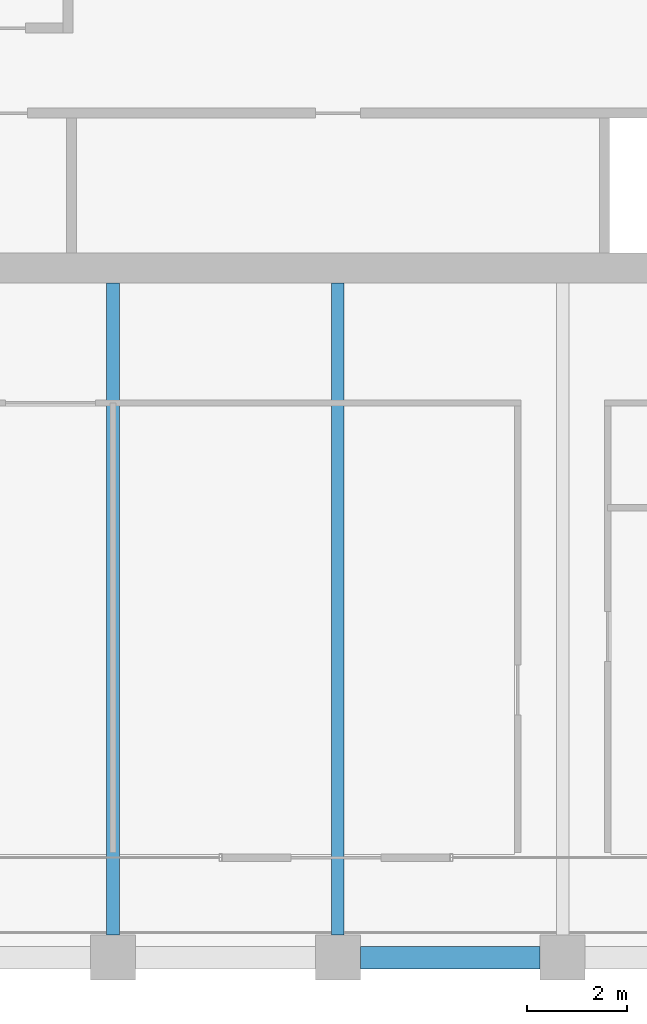
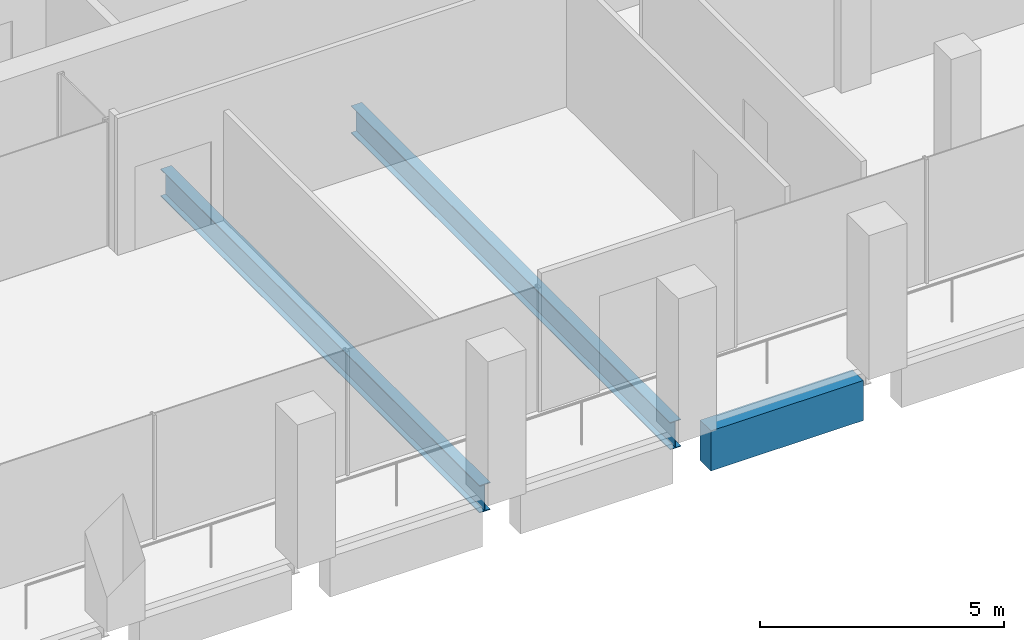
# One storey, part 8 of 40: 3 beams.
"""IFC4 building model written with IfcOpenShell, lengths in metres."""

from ifc_helpers import new_model, si_unit, direction, frame, origin, origin_2d, place, context, subcontext, project, spatial, rectangle, i_section, extrude, material, material_profile, profile_set, type_object, element, save


model = new_model("IFC4")

# Units and contexts
model_context = context("Model", 3, precision=1e-05, world=origin(), true_north=direction((0.0, 1.0)))
body_context = subcontext(model_context, "Body", "Model", "MODEL_VIEW")
ifc_project = project(units=[si_unit("LENGTHUNIT", "METRE"), si_unit("AREAUNIT", "SQUARE_METRE"), si_unit("VOLUMEUNIT", "CUBIC_METRE"), si_unit("PLANEANGLEUNIT", "RADIAN"), si_unit("MASSUNIT", "GRAM", prefix="KILO")], contexts=[model_context])

# Site, building, storey
site_placement = place(None, origin())
site = spatial("IfcSite", under=ifc_project, at=site_placement, CompositionType="ELEMENT")
building_placement = place(site_placement, origin())
building = spatial("IfcBuilding", under=site, at=building_placement, Name="Altepetl Exchange Towers", CompositionType="ELEMENT")
storey_placement = place(building_placement, frame((0.0, 0.0, 179.800048828125)))
storey = spatial("IfcBuildingStorey", under=building, at=storey_placement, Name="L45", CompositionType="ELEMENT", Elevation=179.800048828125)

# Beams
ifc_material_1 = material(Name="Steel S355", Category="steel")
ifc_material_profile_1 = material_profile(ifc_material_1, i_section(OverallWidth=0.25390625, OverallDepth=0.68408203125, WebThickness=0.012451171875, FlangeThickness=0.018798828125, at=origin_2d()), Name="W27X94")
ifc_profile_set_1 = profile_set([ifc_material_profile_1], Name="Steel S355")
beam_type_1 = type_object("IfcBeamType", Name="Floor beam W27X94", PredefinedType="BEAM", material=ifc_profile_set_1)
for number, where, z_axis, x_axis, name in (
    (1, (45.0, 27.449951171875, -0.491943359375), (0.0, 1.0, 0.0), (-1.0, 0.0, 0.0), "bm:A:L45:015"),
    (2, (49.5, 27.449951171875, -0.491943359375), (0.0, 1.0, 0.0), (-1.0, 0.0, 0.0), "bm:A:L45:016"),
):
    element("IfcBeam", number, at=place(storey_placement, frame(where, z_axis=z_axis, x_axis=x_axis)), inside=storey, type_object=beam_type_1, Name=name, PredefinedType="BEAM", context=body_context, shape_type="SweptSolid", body=[
        extrude(i_section(OverallWidth=0.25390625, OverallDepth=0.68408203125, WebThickness=0.012451171875, FlangeThickness=0.018798828125, at=origin_2d()), origin(), (0.0, 0.0, 1.0), 13.050048828125),
    ])
ifc_material_2 = material(Name="Concrete C50/60 precast with cantera blanca facing", Category="concrete")
ifc_material_profile_2 = material_profile(ifc_material_2, rectangle(XDim=0.449951171875, YDim=1.0, at=origin_2d()), Name="450 x 1000")
ifc_profile_set_2 = profile_set([ifc_material_profile_2], Name="Concrete C50/60 precast with cantera blanca facing")
beam_type_2 = type_object("IfcBeamType", Name="Spandrel beam 450x1000 cantera blanca", PredefinedType="SPANDREL", material=ifc_profile_set_2)
beam_placement = place(storey_placement, frame((49.949951171875, 27.0, -0.650146484375), z_axis=(1.0, 0.0, 0.0), x_axis=(0.0, 1.0, 0.0)))
element("IfcBeam", 3, at=beam_placement, inside=storey, type_object=beam_type_2, Name="sp:A:L45:004", PredefinedType="SPANDREL", context=body_context, shape_type="SweptSolid", body=[
    extrude(rectangle(XDim=0.449951171875, YDim=1.0, at=origin_2d()), origin(), (0.0, 0.0, 1.0), 3.60009765625),
])

save(model, "model.ifc")
